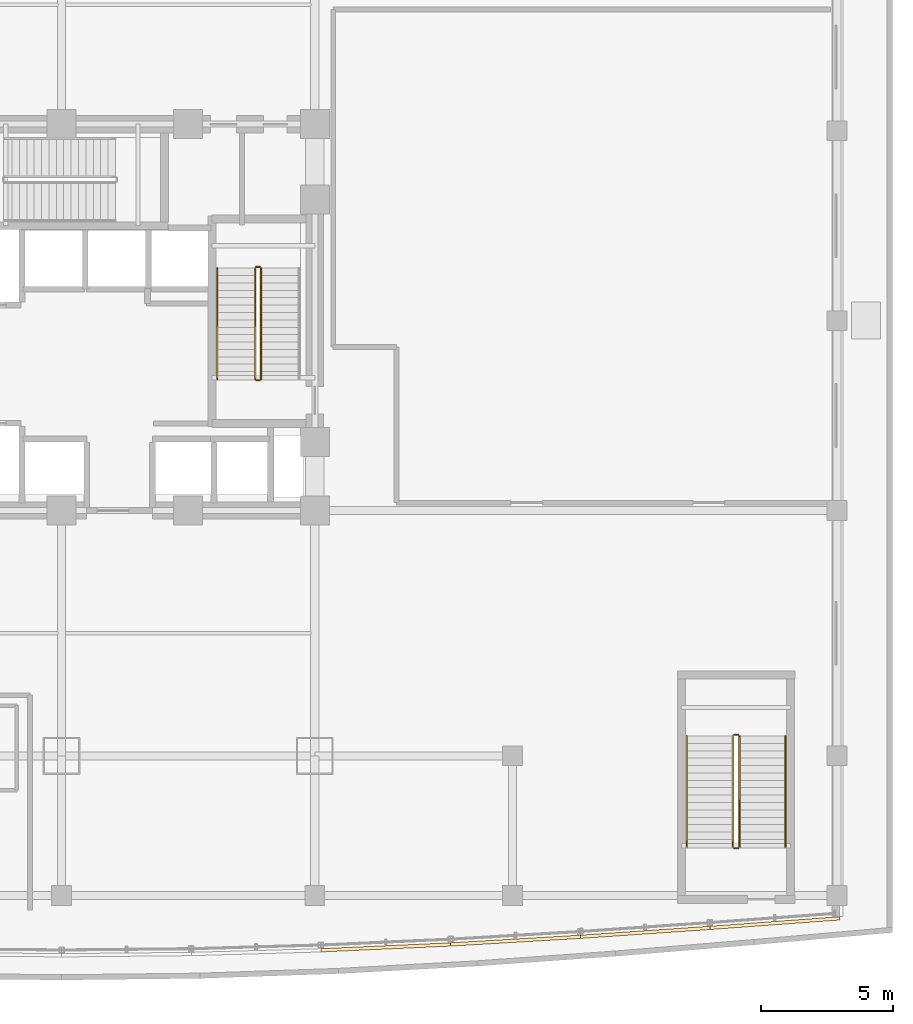
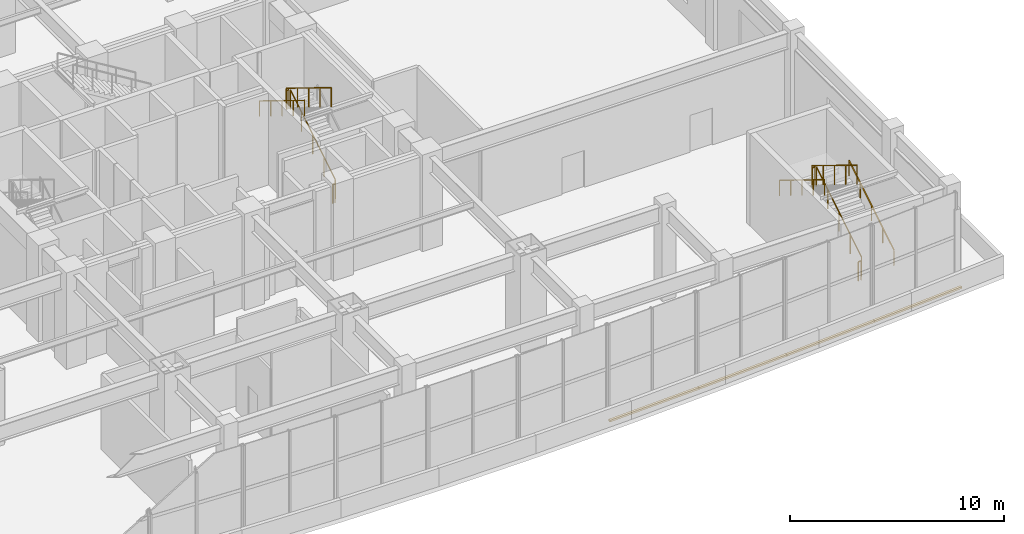
# One storey, part 19 of 24: 11 railings, 4 coverings.
"""IFC4 building model written with IfcOpenShell, lengths in metres."""

from ifc_helpers import new_model, si_unit, direction, frame, origin, origin_2d, place, context, subcontext, project, spatial, polyline, rectangle, outline, extrude, material, layer, layer_set, type_object, element, save


model = new_model("IFC4")

# Units and contexts
model_context = context("Model", 3, precision=1e-05, world=origin(), true_north=direction((0.0, 1.0)))
body_context = subcontext(model_context, "Body", "Model", "MODEL_VIEW")
ifc_project = project(units=[si_unit("LENGTHUNIT", "METRE"), si_unit("AREAUNIT", "SQUARE_METRE"), si_unit("VOLUMEUNIT", "CUBIC_METRE"), si_unit("PLANEANGLEUNIT", "RADIAN"), si_unit("MASSUNIT", "GRAM", prefix="KILO")], contexts=[model_context])

# Site, building, storey
site_placement = place(None, origin())
site = spatial("IfcSite", under=ifc_project, at=site_placement, CompositionType="ELEMENT")
building_placement = place(site_placement, origin())
building = spatial("IfcBuilding", under=site, at=building_placement, Name="Vantalir Tower", CompositionType="ELEMENT")
storey_placement = place(building_placement, frame((0.0, 0.0, 16.0)))
storey = spatial("IfcBuildingStorey", under=building, at=storey_placement, Name="L03", CompositionType="ELEMENT", Elevation=16.0)

# Coverings
ifc_material_1 = material(Name="Anodised champagne aluminium sill fascia", Category="aluminium")
ifc_layer = layer(ifc_material_1, 0.125)
ifc_layer_set = layer_set([ifc_layer], Name="Anodised champagne aluminium sill fascia")
covering_type = type_object("IfcCoveringType", Name="COV-SLAB-FASCIA-125", PredefinedType="CLADDING", material=ifc_layer_set)
covering_1_placement = place(storey_placement, frame((0.0, 0.0, -0.179931640625)))
element("IfcCovering", 1, at=covering_1_placement, inside=storey, type_object=covering_type, Name="L03 South Prow Slab-Edge Fascia 09", PredefinedType="CLADDING", context=body_context, shape_type="SweptSolid", body=[
    extrude(outline(polyline([(41.3330078125, 1.18798828125), (41.339111328125, 1.06298828125), (46.256103515625, 1.284912109375), (46.25, 1.409912109375), (41.3330078125, 1.18798828125)])), origin(), (0.0, 0.0, 1.0), 0.10498046875),
])
covering_2_placement = place(storey_placement, frame((0.0, 0.0, -0.179931640625)))
element("IfcCovering", 2, at=covering_2_placement, inside=storey, type_object=covering_type, Name="L03 South Prow Slab-Edge Fascia 10", PredefinedType="CLADDING", context=body_context, shape_type="SweptSolid", body=[
    extrude(outline(polyline([(46.25, 1.409912109375), (46.257080078125, 1.284912109375), (51.174072265625, 1.574951171875), (51.1669921875, 1.699951171875), (46.25, 1.409912109375)])), origin(), (0.0, 0.0, 1.0), 0.10498046875),
])
covering_3_placement = place(storey_placement, frame((0.0, 0.0, -0.179931640625)))
element("IfcCovering", 3, at=covering_3_placement, inside=storey, type_object=covering_type, Name="L03 South Prow Slab-Edge Fascia 11", PredefinedType="CLADDING", context=body_context, shape_type="SweptSolid", body=[
    extrude(outline(polyline([(51.1669921875, 1.699951171875), (51.176025390625, 1.574951171875), (56.092041015625, 1.9130859375), (56.0830078125, 2.0380859375), (51.1669921875, 1.699951171875)])), origin(), (0.0, 0.0, 1.0), 0.10498046875),
])
covering_4_placement = place(storey_placement, frame((0.0, 0.0, -0.179931640625)))
element("IfcCovering", 4, at=covering_4_placement, inside=storey, type_object=covering_type, Name="L03 South Prow Slab-Edge Fascia 12", PredefinedType="CLADDING", context=body_context, shape_type="SweptSolid", body=[
    extrude(outline(polyline([(56.0830078125, 2.0380859375), (56.092041015625, 1.9130859375), (61.009033203125, 2.27490234375), (61.0, 2.39990234375), (56.0830078125, 2.0380859375)])), origin(), (0.0, 0.0, 1.0), 0.10498046875),
])

# Railings
ifc_material_2 = material(Name="Anodised aluminium and stainless steel guard", Category="steel")
railing_type_1 = type_object("IfcRailingType", Name="RAL-GUARD-1120", PredefinedType="GUARDRAIL", material=ifc_material_2)
railing_1_placement = place(storey_placement, frame((39.06005859375, 22.7900390625, 0.171875)))
element("IfcRailing", 5, at=railing_1_placement, inside=storey, type_object=railing_type_1, Name="L03 ST2 stair guard 1", PredefinedType="GUARDRAIL", context=body_context, shape_type="SweptSolid", body=[
    extrude(rectangle(XDim=0.048095703125, YDim=0.048095703125, at=origin_2d()), frame((0.0, 0.0, 1.09619140625), z_axis=(0.0, 0.852242915053, 0.523146264196), x_axis=(-1.0, 0.0, 0.0)), (0.0, 0.0, 1.0), 4.92822265625),
    extrude(rectangle(XDim=0.0419921875, YDim=0.0419921875, at=origin_2d()), origin(), (0.0, 0.0, 1.0), 1.072021484375),
    extrude(rectangle(XDim=0.0419921875, YDim=0.0419921875, at=origin_2d()), frame((0.0, 1.050048828125, 0.64453125)), (0.0, 0.0, 1.0), 1.072021484375),
    extrude(rectangle(XDim=0.0419921875, YDim=0.0419921875, at=origin_2d()), frame((0.0, 2.10009765625, 1.2890625)), (0.0, 0.0, 1.0), 1.072021484375),
    extrude(rectangle(XDim=0.0419921875, YDim=0.0419921875, at=origin_2d()), frame((0.0, 3.14990234375, 1.93359375)), (0.0, 0.0, 1.0), 1.072021484375),
    extrude(rectangle(XDim=0.0419921875, YDim=0.0419921875, at=origin_2d()), frame((0.0, 4.199951171875, 2.578125)), (0.0, 0.0, 1.0), 1.072021484375),
])
railing_2_placement = place(storey_placement, frame((39.010009765625, 27.0400390625, 2.75)))
element("IfcRailing", 6, at=railing_2_placement, inside=storey, type_object=railing_type_1, Name="L03 ST2 stair guard 2", PredefinedType="GUARDRAIL", context=body_context, shape_type="SweptSolid", body=[
    extrude(rectangle(XDim=0.048095703125, YDim=0.048095703125, at=origin_2d()), frame((0.0, 0.0, 1.09619140625), z_axis=(-1.0, 0.0, 0.0), x_axis=(0.0, -1.0, 0.0)), (0.0, 0.0, 1.0), 0.1201171875),
    extrude(rectangle(XDim=0.0419921875, YDim=0.0419921875, at=origin_2d()), origin(), (0.0, 0.0, 1.0), 1.072021484375),
    extrude(rectangle(XDim=0.0419921875, YDim=0.0419921875, at=origin_2d()), frame((-0.1201171875, 0.0, 0.0)), (0.0, 0.0, 1.0), 1.072021484375),
])
railing_3_placement = place(storey_placement, frame((38.840087890625, 26.989990234375, 2.921875)))
element("IfcRailing", 7, at=railing_3_placement, inside=storey, type_object=railing_type_1, Name="L03 ST2 stair guard 3", PredefinedType="GUARDRAIL", context=body_context, shape_type="SweptSolid", body=[
    extrude(rectangle(XDim=0.048095703125, YDim=0.048095703125, at=origin_2d()), frame((0.0, 0.0, 1.09619140625), z_axis=(0.0, -0.852242915053, 0.523146264196), x_axis=(1.0, 0.0, 0.0)), (0.0, 0.0, 1.0), 4.92822265625),
    extrude(rectangle(XDim=0.0419921875, YDim=0.0419921875, at=origin_2d()), origin(), (0.0, 0.0, 1.0), 1.072021484375),
    extrude(rectangle(XDim=0.0419921875, YDim=0.0419921875, at=origin_2d()), frame((0.0, -1.050048828125, 0.64453125)), (0.0, 0.0, 1.0), 1.072021484375),
    extrude(rectangle(XDim=0.0419921875, YDim=0.0419921875, at=origin_2d()), frame((0.0, -2.10009765625, 1.2890625)), (0.0, 0.0, 1.0), 1.072021484375),
    extrude(rectangle(XDim=0.0419921875, YDim=0.0419921875, at=origin_2d()), frame((0.0, -3.14990234375, 1.93359375)), (0.0, 0.0, 1.0), 1.072021484375),
    extrude(rectangle(XDim=0.0419921875, YDim=0.0419921875, at=origin_2d()), frame((0.0, -4.199951171875, 2.578125)), (0.0, 0.0, 1.0), 1.072021484375),
])
railing_4_placement = place(storey_placement, frame((39.010009765625, 22.739990234375, 0.0)))
element("IfcRailing", 8, at=railing_4_placement, inside=storey, type_object=railing_type_1, Name="L03 ST2 stair guard 4", PredefinedType="GUARDRAIL", context=body_context, shape_type="SweptSolid", body=[
    extrude(rectangle(XDim=0.048095703125, YDim=0.048095703125, at=origin_2d()), frame((0.0, 0.0, 1.09619140625), z_axis=(-1.0, 0.0, 0.0), x_axis=(0.0, -1.0, 0.0)), (0.0, 0.0, 1.0), 0.1201171875),
    extrude(rectangle(XDim=0.0419921875, YDim=0.0419921875, at=origin_2d()), origin(), (0.0, 0.0, 1.0), 1.072021484375),
    extrude(rectangle(XDim=0.0419921875, YDim=0.0419921875, at=origin_2d()), frame((-0.1201171875, 0.0, 0.0)), (0.0, 0.0, 1.0), 1.072021484375),
])
railing_5_placement = place(storey_placement, frame((57.199951171875, 5.050048828125, 0.171875)))
element("IfcRailing", 9, at=railing_5_placement, inside=storey, type_object=railing_type_1, Name="L03 PST4 stair guard 1", PredefinedType="GUARDRAIL", context=body_context, shape_type="SweptSolid", body=[
    extrude(rectangle(XDim=0.048095703125, YDim=0.048095703125, at=origin_2d()), frame((0.0, 0.0, 1.09619140625), z_axis=(0.0, 0.852242915053, 0.523146264196), x_axis=(-1.0, 0.0, 0.0)), (0.0, 0.0, 1.0), 4.92822265625),
    extrude(rectangle(XDim=0.0419921875, YDim=0.0419921875, at=origin_2d()), origin(), (0.0, 0.0, 1.0), 1.072021484375),
    extrude(rectangle(XDim=0.0419921875, YDim=0.0419921875, at=origin_2d()), frame((0.0, 1.050048828125, 0.64453125)), (0.0, 0.0, 1.0), 1.072021484375),
    extrude(rectangle(XDim=0.0419921875, YDim=0.0419921875, at=origin_2d()), frame((0.0, 2.10009765625, 1.2890625)), (0.0, 0.0, 1.0), 1.072021484375),
    extrude(rectangle(XDim=0.0419921875, YDim=0.0419921875, at=origin_2d()), frame((0.0, 3.14990234375, 1.93359375)), (0.0, 0.0, 1.0), 1.072021484375),
    extrude(rectangle(XDim=0.0419921875, YDim=0.0419921875, at=origin_2d()), frame((0.0, 4.199951171875, 2.578125)), (0.0, 0.0, 1.0), 1.072021484375),
])
railing_6_placement = place(storey_placement, frame((57.14990234375, 9.300048828125, 2.75)))
element("IfcRailing", 10, at=railing_6_placement, inside=storey, type_object=railing_type_1, Name="L03 PST4 stair guard 2", PredefinedType="GUARDRAIL", context=body_context, shape_type="SweptSolid", body=[
    extrude(rectangle(XDim=0.048095703125, YDim=0.048095703125, at=origin_2d()), frame((0.0, 0.0, 1.09619140625), z_axis=(-1.0, 0.0, 0.0), x_axis=(0.0, -1.0, 0.0)), (0.0, 0.0, 1.0), 0.14990234375),
    extrude(rectangle(XDim=0.0419921875, YDim=0.0419921875, at=origin_2d()), origin(), (0.0, 0.0, 1.0), 1.072021484375),
    extrude(rectangle(XDim=0.0419921875, YDim=0.0419921875, at=origin_2d()), frame((-0.14990234375, 0.0, 0.0)), (0.0, 0.0, 1.0), 1.072021484375),
])
railing_7_placement = place(storey_placement, frame((56.949951171875, 9.25, 2.921875)))
element("IfcRailing", 11, at=railing_7_placement, inside=storey, type_object=railing_type_1, Name="L03 PST4 stair guard 3", PredefinedType="GUARDRAIL", context=body_context, shape_type="SweptSolid", body=[
    extrude(rectangle(XDim=0.048095703125, YDim=0.048095703125, at=origin_2d()), frame((0.0, 0.0, 1.09619140625), z_axis=(0.0, -0.852242915053, 0.523146264196), x_axis=(1.0, 0.0, 0.0)), (0.0, 0.0, 1.0), 4.92822265625),
    extrude(rectangle(XDim=0.0419921875, YDim=0.0419921875, at=origin_2d()), origin(), (0.0, 0.0, 1.0), 1.072021484375),
    extrude(rectangle(XDim=0.0419921875, YDim=0.0419921875, at=origin_2d()), frame((0.0, -1.050048828125, 0.64453125)), (0.0, 0.0, 1.0), 1.072021484375),
    extrude(rectangle(XDim=0.0419921875, YDim=0.0419921875, at=origin_2d()), frame((0.0, -2.10009765625, 1.2890625)), (0.0, 0.0, 1.0), 1.072021484375),
    extrude(rectangle(XDim=0.0419921875, YDim=0.0419921875, at=origin_2d()), frame((0.0, -3.14990234375, 1.93359375)), (0.0, 0.0, 1.0), 1.072021484375),
    extrude(rectangle(XDim=0.0419921875, YDim=0.0419921875, at=origin_2d()), frame((0.0, -4.199951171875, 2.578125)), (0.0, 0.0, 1.0), 1.072021484375),
])
railing_8_placement = place(storey_placement, frame((57.14990234375, 5.0, 0.0)))
element("IfcRailing", 12, at=railing_8_placement, inside=storey, type_object=railing_type_1, Name="L03 PST4 stair guard 4", PredefinedType="GUARDRAIL", context=body_context, shape_type="SweptSolid", body=[
    extrude(rectangle(XDim=0.048095703125, YDim=0.048095703125, at=origin_2d()), frame((0.0, 0.0, 1.09619140625), z_axis=(-1.0, 0.0, 0.0), x_axis=(0.0, -1.0, 0.0)), (0.0, 0.0, 1.0), 0.14990234375),
    extrude(rectangle(XDim=0.0419921875, YDim=0.0419921875, at=origin_2d()), origin(), (0.0, 0.0, 1.0), 1.072021484375),
    extrude(rectangle(XDim=0.0419921875, YDim=0.0419921875, at=origin_2d()), frame((-0.14990234375, 0.0, 0.0)), (0.0, 0.0, 1.0), 1.072021484375),
])
ifc_material_3 = material(Name="Brushed stainless steel tubular handrail", Category="steel")
railing_type_2 = type_object("IfcRailingType", Name="RAL-HANDRAIL-900", PredefinedType="HANDRAIL", material=ifc_material_3)
railing_9_placement = place(storey_placement, frame((37.39990234375, 26.989990234375, 2.921875)))
element("IfcRailing", 13, at=railing_9_placement, inside=storey, type_object=railing_type_2, Name="L03 ST2 stair handrail 2", PredefinedType="HANDRAIL", context=body_context, shape_type="SweptSolid", body=[
    extrude(rectangle(XDim=0.048095703125, YDim=0.048095703125, at=origin_2d()), frame((0.0, 0.0, 0.8759765625), z_axis=(0.0, -0.852242915053, 0.523146264196), x_axis=(1.0, 0.0, 0.0)), (0.0, 0.0, 1.0), 4.92822265625),
    extrude(rectangle(XDim=0.0419921875, YDim=0.0419921875, at=origin_2d()), origin(), (0.0, 0.0, 1.0), 0.851806640625),
    extrude(rectangle(XDim=0.0419921875, YDim=0.0419921875, at=origin_2d()), frame((0.0, -1.050048828125, 0.64453125)), (0.0, 0.0, 1.0), 0.851806640625),
    extrude(rectangle(XDim=0.0419921875, YDim=0.0419921875, at=origin_2d()), frame((0.0, -2.10009765625, 1.2890625)), (0.0, 0.0, 1.0), 0.851806640625),
    extrude(rectangle(XDim=0.0419921875, YDim=0.0419921875, at=origin_2d()), frame((0.0, -3.14990234375, 1.93359375)), (0.0, 0.0, 1.0), 0.851806640625),
    extrude(rectangle(XDim=0.0419921875, YDim=0.0419921875, at=origin_2d()), frame((0.0, -4.199951171875, 2.578125)), (0.0, 0.0, 1.0), 0.851806640625),
])
railing_10_placement = place(storey_placement, frame((58.949951171875, 5.050048828125, 0.171875)))
element("IfcRailing", 14, at=railing_10_placement, inside=storey, type_object=railing_type_2, Name="L03 PST4 stair handrail 1", PredefinedType="HANDRAIL", context=body_context, shape_type="SweptSolid", body=[
    extrude(rectangle(XDim=0.048095703125, YDim=0.048095703125, at=origin_2d()), frame((0.0, 0.0, 0.8759765625), z_axis=(0.0, 0.852242915053, 0.523146264196), x_axis=(-1.0, 0.0, 0.0)), (0.0, 0.0, 1.0), 4.92822265625),
    extrude(rectangle(XDim=0.0419921875, YDim=0.0419921875, at=origin_2d()), origin(), (0.0, 0.0, 1.0), 0.851806640625),
    extrude(rectangle(XDim=0.0419921875, YDim=0.0419921875, at=origin_2d()), frame((0.0, 1.050048828125, 0.64453125)), (0.0, 0.0, 1.0), 0.851806640625),
    extrude(rectangle(XDim=0.0419921875, YDim=0.0419921875, at=origin_2d()), frame((0.0, 2.10009765625, 1.2890625)), (0.0, 0.0, 1.0), 0.851806640625),
    extrude(rectangle(XDim=0.0419921875, YDim=0.0419921875, at=origin_2d()), frame((0.0, 3.14990234375, 1.93359375)), (0.0, 0.0, 1.0), 0.851806640625),
    extrude(rectangle(XDim=0.0419921875, YDim=0.0419921875, at=origin_2d()), frame((0.0, 4.199951171875, 2.578125)), (0.0, 0.0, 1.0), 0.851806640625),
])
railing_11_placement = place(storey_placement, frame((55.199951171875, 9.25, 2.921875)))
element("IfcRailing", 15, at=railing_11_placement, inside=storey, type_object=railing_type_2, Name="L03 PST4 stair handrail 2", PredefinedType="HANDRAIL", context=body_context, shape_type="SweptSolid", body=[
    extrude(rectangle(XDim=0.048095703125, YDim=0.048095703125, at=origin_2d()), frame((0.0, 0.0, 0.8759765625), z_axis=(0.0, -0.852242915053, 0.523146264196), x_axis=(1.0, 0.0, 0.0)), (0.0, 0.0, 1.0), 4.92822265625),
    extrude(rectangle(XDim=0.0419921875, YDim=0.0419921875, at=origin_2d()), origin(), (0.0, 0.0, 1.0), 0.851806640625),
    extrude(rectangle(XDim=0.0419921875, YDim=0.0419921875, at=origin_2d()), frame((0.0, -1.050048828125, 0.64453125)), (0.0, 0.0, 1.0), 0.851806640625),
    extrude(rectangle(XDim=0.0419921875, YDim=0.0419921875, at=origin_2d()), frame((0.0, -2.10009765625, 1.2890625)), (0.0, 0.0, 1.0), 0.851806640625),
    extrude(rectangle(XDim=0.0419921875, YDim=0.0419921875, at=origin_2d()), frame((0.0, -3.14990234375, 1.93359375)), (0.0, 0.0, 1.0), 0.851806640625),
    extrude(rectangle(XDim=0.0419921875, YDim=0.0419921875, at=origin_2d()), frame((0.0, -4.199951171875, 2.578125)), (0.0, 0.0, 1.0), 0.851806640625),
])

save(model, "model.ifc")
